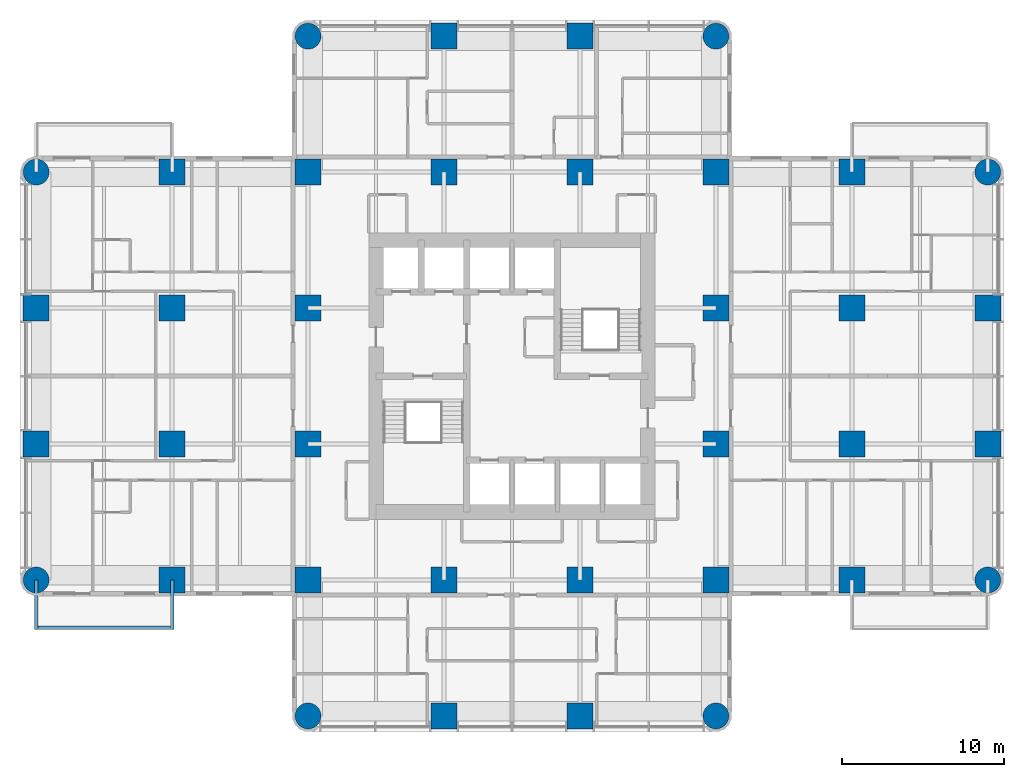
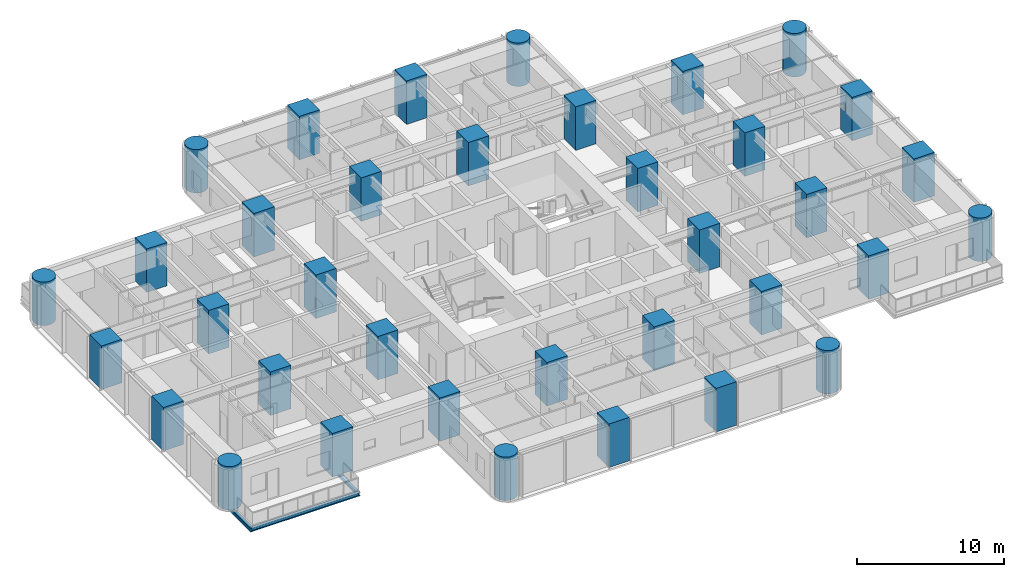
# One storey, part 1 of 15: 36 columns, 3 beams.
"""IFC4 building model written with IfcOpenShell, lengths in metres."""

from ifc_helpers import new_model, si_unit, direction, frame, origin, origin_2d, place, context, subcontext, project, spatial, rectangle, circle, i_section, extrude, material, material_profile, profile_set, type_object, element, save


model = new_model("IFC4")

# Units and contexts
model_context = context("Model", 3, precision=1e-05, world=origin(), true_north=direction((0.0, 1.0)))
body_context = subcontext(model_context, "Body", "Model", "MODEL_VIEW")
ifc_project = project(units=[si_unit("LENGTHUNIT", "METRE"), si_unit("AREAUNIT", "SQUARE_METRE"), si_unit("VOLUMEUNIT", "CUBIC_METRE"), si_unit("PLANEANGLEUNIT", "RADIAN"), si_unit("MASSUNIT", "GRAM", prefix="KILO")], contexts=[model_context])

# Site, building, storey
site_placement = place(None, origin())
site = spatial("IfcSite", under=ifc_project, at=site_placement, CompositionType="ELEMENT")
building_placement = place(site_placement, origin())
building = spatial("IfcBuilding", under=site, at=building_placement, Name="Torre Alcanfor", CompositionType="ELEMENT")
storey_placement = place(building_placement, frame((0.0, 0.0, 148.5)))
storey = spatial("IfcBuildingStorey", under=building, at=storey_placement, Name="L38", CompositionType="ELEMENT", Elevation=148.5)

# Columns
ifc_material_1 = material(Name="Concrete f'c 70 MPa", Category="concrete")
ifc_material_profile_1 = material_profile(ifc_material_1, rectangle(XDim=1.60009765625, YDim=1.60009765625, at=origin_2d()), Name="1600x1600")
ifc_profile_set_1 = profile_set([ifc_material_profile_1], Name="Concrete f'c 70 MPa")
column_type_1 = type_object("IfcColumnType", Name="RC column 1600x1600 f'c70", PredefinedType="COLUMN", material=ifc_profile_set_1)
for number, where, z_axis, x_axis, name in (
    (1, (0.0, 25.199951171875, 0.0), (0.0, 0.0, 1.0), (1.0, 0.0, 0.0), "Column 1/F L38"),
    (2, (0.0, 33.60009765625, 0.0), (0.0, 0.0, 1.0), (1.0, 0.0, 0.0), "Column 1/G L38"),
    (3, (8.39990234375, 16.800048828125, 0.0), (0.0, 0.0, 1.0), (1.0, 0.0, 0.0), "Column 2/E L38"),
    (4, (8.39990234375, 25.199951171875, 0.0), (0.0, 0.0, 1.0), (1.0, 0.0, 0.0), "Column 2/F L38"),
    (5, (8.39990234375, 33.60009765625, 0.0), (0.0, 0.0, 1.0), (1.0, 0.0, 0.0), "Column 2/G L38"),
    (6, (8.39990234375, 42.0, 0.0), (0.0, 0.0, 1.0), (1.0, 0.0, 0.0), "Column 2/H L38"),
    (7, (16.800048828125, 16.800048828125, 0.0), (0.0, 0.0, 1.0), (1.0, 0.0, 0.0), "Column 3/E L38"),
    (8, (16.800048828125, 25.199951171875, 0.0), (0.0, 0.0, 1.0), (1.0, 0.0, 0.0), "Column 3/F L38"),
    (9, (16.800048828125, 33.60009765625, 0.0), (0.0, 0.0, 1.0), (1.0, 0.0, 0.0), "Column 3/G L38"),
    (10, (16.800048828125, 42.0, 0.0), (0.0, 0.0, 1.0), (1.0, 0.0, 0.0), "Column 3/H L38"),
    (11, (25.199951171875, 8.39990234375, 0.0), (0.0, 0.0, 1.0), (1.0, 0.0, 0.0), "Column 4/D L38"),
    (12, (25.199951171875, 16.800048828125, 0.0), (0.0, 0.0, 1.0), (1.0, 0.0, 0.0), "Column 4/E L38"),
    (13, (25.199951171875, 42.0, 0.0), (0.0, 0.0, 1.0), (1.0, 0.0, 0.0), "Column 4/H L38"),
    (14, (25.199951171875, 50.39990234375, 0.0), (0.0, 0.0, 1.0), (1.0, 0.0, 0.0), "Column 4/J L38"),
    (15, (33.60009765625, 8.39990234375, 0.0), (0.0, 0.0, 1.0), (1.0, 0.0, 0.0), "Column 5/D L38"),
    (16, (33.60009765625, 16.800048828125, 0.0), (0.0, 0.0, 1.0), (1.0, 0.0, 0.0), "Column 5/E L38"),
    (17, (33.60009765625, 42.0, 0.0), (0.0, 0.0, 1.0), (1.0, 0.0, 0.0), "Column 5/H L38"),
    (18, (33.60009765625, 50.39990234375, 0.0), (0.0, 0.0, 1.0), (1.0, 0.0, 0.0), "Column 5/J L38"),
    (19, (42.0, 16.800048828125, 0.0), (0.0, 0.0, 1.0), (1.0, 0.0, 0.0), "Column 6/E L38"),
    (20, (42.0, 25.199951171875, 0.0), (0.0, 0.0, 1.0), (1.0, 0.0, 0.0), "Column 6/F L38"),
    (21, (42.0, 33.60009765625, 0.0), (0.0, 0.0, 1.0), (1.0, 0.0, 0.0), "Column 6/G L38"),
    (22, (42.0, 42.0, 0.0), (0.0, 0.0, 1.0), (1.0, 0.0, 0.0), "Column 6/H L38"),
    (23, (50.39990234375, 16.800048828125, 0.0), (0.0, 0.0, 1.0), (1.0, 0.0, 0.0), "Column 7/E L38"),
    (24, (50.39990234375, 25.199951171875, 0.0), (0.0, 0.0, 1.0), (1.0, 0.0, 0.0), "Column 7/F L38"),
    (25, (50.39990234375, 33.60009765625, 0.0), (0.0, 0.0, 1.0), (1.0, 0.0, 0.0), "Column 7/G L38"),
    (26, (50.39990234375, 42.0, 0.0), (0.0, 0.0, 1.0), (1.0, 0.0, 0.0), "Column 7/H L38"),
    (27, (58.800048828125, 25.199951171875, 0.0), (0.0, 0.0, 1.0), (1.0, 0.0, 0.0), "Column 8/F L38"),
    (28, (58.800048828125, 33.60009765625, 0.0), (0.0, 0.0, 1.0), (1.0, 0.0, 0.0), "Column 8/G L38"),
):
    element("IfcColumn", number, at=place(storey_placement, frame(where, z_axis=z_axis, x_axis=x_axis)), inside=storey, type_object=column_type_1, Name=name, PredefinedType="COLUMN", context=body_context, shape_type="SweptSolid", body=[
        extrude(rectangle(XDim=1.60009765625, YDim=1.60009765625, at=origin_2d()), origin(), (0.0, 0.0, 1.0), 3.60009765625),
    ])
ifc_material_2 = material(Name="Concrete f'c 70 MPa", Category="concrete")
ifc_material_profile_2 = material_profile(ifc_material_2, circle(Radius=0.800048828125, at=origin_2d()), Name="D1600")
ifc_profile_set_2 = profile_set([ifc_material_profile_2], Name="Concrete f'c 70 MPa")
column_type_2 = type_object("IfcColumnType", Name="RC column D1600 f'c70", PredefinedType="COLUMN", material=ifc_profile_set_2)
for number, where, z_axis, x_axis, name in (
    (29, (0.0, 16.800048828125, 0.0), (0.0, 0.0, 1.0), (1.0, 0.0, 0.0), "Column 1/E L38"),
    (30, (0.0, 42.0, 0.0), (0.0, 0.0, 1.0), (1.0, 0.0, 0.0), "Column 1/H L38"),
    (31, (16.800048828125, 8.39990234375, 0.0), (0.0, 0.0, 1.0), (1.0, 0.0, 0.0), "Column 3/D L38"),
    (32, (16.800048828125, 50.39990234375, 0.0), (0.0, 0.0, 1.0), (1.0, 0.0, 0.0), "Column 3/J L38"),
    (33, (42.0, 8.39990234375, 0.0), (0.0, 0.0, 1.0), (1.0, 0.0, 0.0), "Column 6/D L38"),
    (34, (42.0, 50.39990234375, 0.0), (0.0, 0.0, 1.0), (1.0, 0.0, 0.0), "Column 6/J L38"),
    (35, (58.800048828125, 16.800048828125, 0.0), (0.0, 0.0, 1.0), (1.0, 0.0, 0.0), "Column 8/E L38"),
    (36, (58.800048828125, 42.0, 0.0), (0.0, 0.0, 1.0), (1.0, 0.0, 0.0), "Column 8/H L38"),
):
    element("IfcColumn", number, at=place(storey_placement, frame(where, z_axis=z_axis, x_axis=x_axis)), inside=storey, type_object=column_type_2, Name=name, PredefinedType="COLUMN", context=body_context, shape_type="SweptSolid", body=[
        extrude(circle(Radius=0.800048828125, at=origin_2d()), origin(), (0.0, 0.0, 1.0), 3.60009765625),
    ])

# Beams
ifc_material_3 = material(Name="Steel ASTM A992 Grade 50", Category="steel")
ifc_material_profile_3 = material_profile(ifc_material_3, i_section(OverallWidth=0.205322265625, OverallDepth=0.309814453125, WebThickness=0.00927734375, FlangeThickness=0.016357421875, at=origin_2d()), Name="W12x50")
ifc_profile_set_3 = profile_set([ifc_material_profile_3], Name="Steel ASTM A992 Grade 50")
beam_type_1 = type_object("IfcBeamType", Name="Balcony cantilever beam W12x50", PredefinedType="BEAM", material=ifc_profile_set_3)
for number, where, z_axis, x_axis, name in (
    (37, (8.39990234375, 16.800048828125, -0.35498046875), (0.0, -1.0, 0.0), (1.0, 0.0, 0.0), "Balcony cantilever beam L38-W1 1"),
    (38, (0.0, 16.800048828125, -0.35498046875), (0.0, -1.0, 0.0), (1.0, 0.0, 0.0), "Balcony cantilever beam L38-W1 2"),
):
    element("IfcBeam", number, at=place(storey_placement, frame(where, z_axis=z_axis, x_axis=x_axis)), inside=storey, type_object=beam_type_1, Name=name, PredefinedType="BEAM", context=body_context, shape_type="SweptSolid", body=[
        extrude(i_section(OverallWidth=0.205322265625, OverallDepth=0.309814453125, WebThickness=0.00927734375, FlangeThickness=0.016357421875, at=origin_2d()), origin(), (0.0, 0.0, 1.0), 3.050048828125),
    ])
ifc_material_4 = material(Name="Steel ASTM A992 Grade 50", Category="steel")
ifc_material_profile_4 = material_profile(ifc_material_4, i_section(OverallWidth=0.203369140625, OverallDepth=0.30224609375, WebThickness=0.007568359375, FlangeThickness=0.01318359375, at=origin_2d()), Name="W12x40")
ifc_profile_set_4 = profile_set([ifc_material_profile_4], Name="Steel ASTM A992 Grade 50")
beam_type_2 = type_object("IfcBeamType", Name="Balcony edge trimmer W12x40", PredefinedType="BEAM", material=ifc_profile_set_4)
beam_placement = place(storey_placement, frame((8.39990234375, 13.851806640625, -0.35107421875), z_axis=(-1.0, 0.0, 0.0), x_axis=(0.0, -1.0, 0.0)))
element("IfcBeam", 39, at=beam_placement, inside=storey, type_object=beam_type_2, Name="Balcony edge trimmer L38-W1", PredefinedType="BEAM", context=body_context, shape_type="SweptSolid", body=[
    extrude(i_section(OverallWidth=0.203369140625, OverallDepth=0.30224609375, WebThickness=0.007568359375, FlangeThickness=0.01318359375, at=origin_2d()), origin(), (0.0, 0.0, 1.0), 8.39990234375),
])

save(model, "model.ifc")
